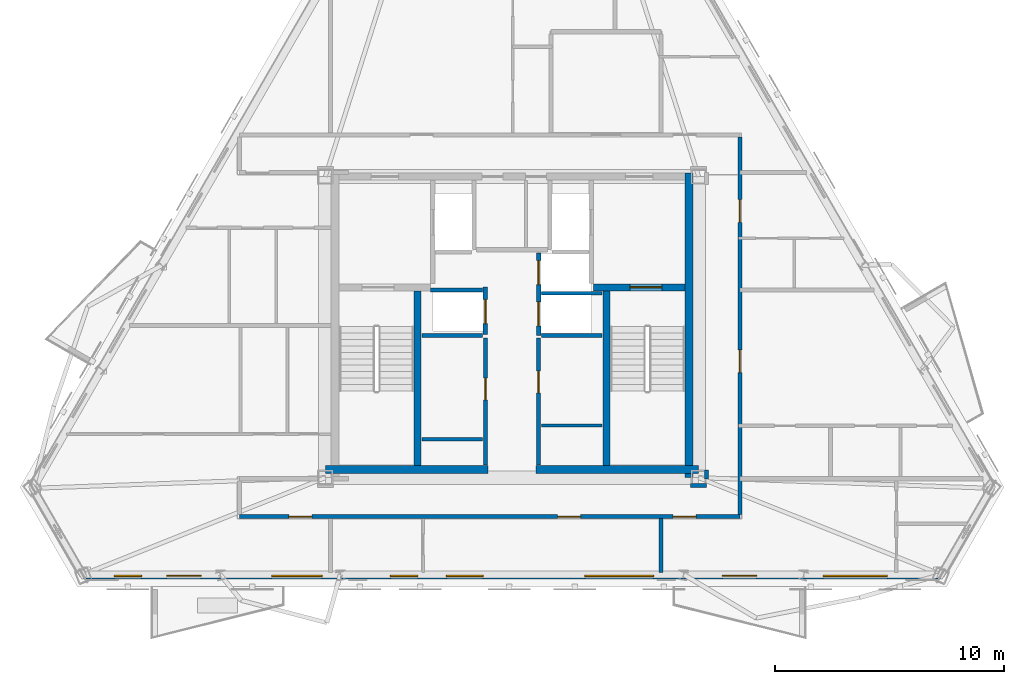
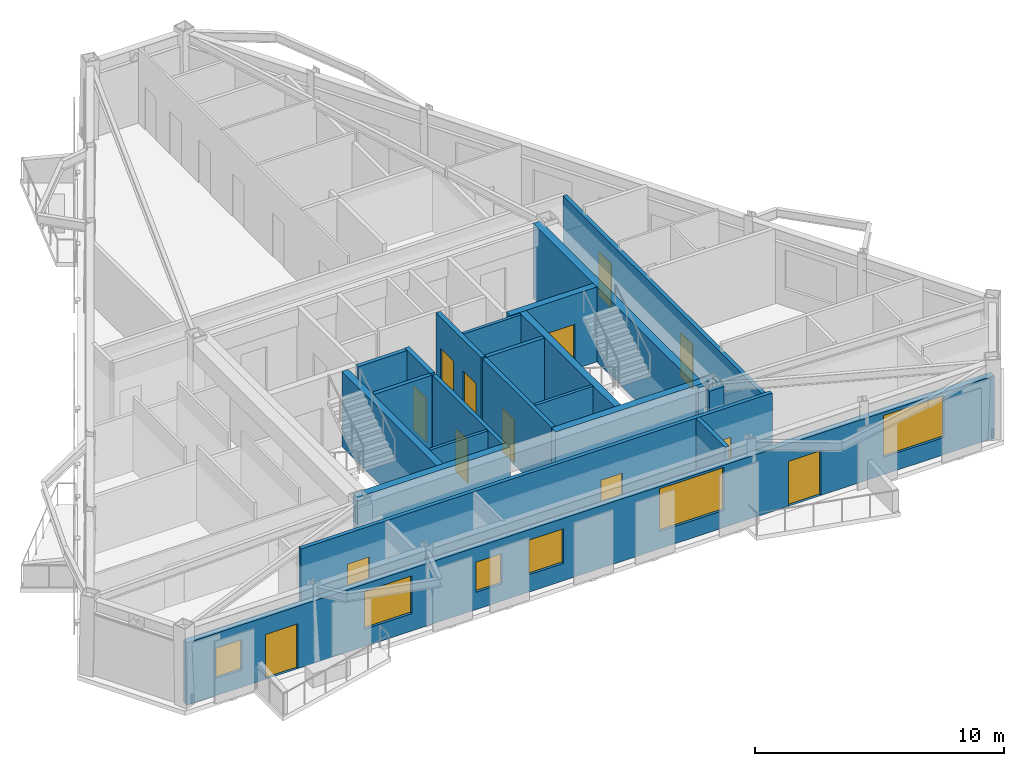
# One storey, part 3 of 9: 22 walls, 13 doors, 6 windows, 19 openings.
"""IFC4 building model written with IfcOpenShell, lengths in metres."""

from ifc_helpers import new_model, si_unit, direction, frame, frame_2d, origin, place, context, subcontext, project, spatial, rectangle, extrude, material, layer, layer_set, type_object, element, fill, save


model = new_model("IFC4")

# Units and contexts
model_context = context("Model", 3, precision=1e-05, world=origin(), true_north=direction((0.0, 1.0)))
body_context = subcontext(model_context, "Body", "Model", "MODEL_VIEW")
ifc_project = project(units=[si_unit("LENGTHUNIT", "METRE"), si_unit("AREAUNIT", "SQUARE_METRE"), si_unit("VOLUMEUNIT", "CUBIC_METRE"), si_unit("PLANEANGLEUNIT", "RADIAN"), si_unit("MASSUNIT", "GRAM", prefix="KILO")], contexts=[model_context])

# Site, building, storey
site_placement = place(None, origin())
site = spatial("IfcSite", under=ifc_project, at=site_placement, CompositionType="ELEMENT")
building_placement = place(site_placement, origin())
building = spatial("IfcBuilding", under=site, at=building_placement, Name="Oramaril Tower", CompositionType="ELEMENT")
storey_placement = place(building_placement, frame((0.0, 0.0, 281.10009765625)))
storey = spatial("IfcBuildingStorey", under=building, at=storey_placement, Name="L74", CompositionType="ELEMENT", Elevation=281.10009765625)

# Wall, openings, doors, windows
ifc_material_1 = material(Name="Warm Cream Limestone", Category="masonry")
ifc_layer_1 = layer(ifc_material_1, 0.2900390625)
ifc_layer_set_1 = layer_set([ifc_layer_1], Name="WT-EXT29")
wall_type_1 = type_object("IfcWallType", Name="WT-EXT29", PredefinedType="SOLIDWALL", material=ifc_layer_set_1)
wall_1_placement = place(storey_placement, frame((18.7822265625, 6.711669921875, 0.0), z_axis=(0.0, 0.0, 1.0), x_axis=(1.0, 0.0, 0.0)))
wall_1 = element("IfcWall", 1, at=wall_1_placement, inside=storey, type_object=wall_type_1, Name="L74 Tower Limestone Facade Wall 2M", PredefinedType="SOLIDWALL", context=body_context, shape_type="SweptSolid", body=[
    extrude(rectangle(XDim=37.435546875, YDim=0.2900390625, at=frame_2d((18.7177734375, 0.0))), origin(), (0.0, 0.0, 1.0), 3.057861328125),
])
opening_1_placement = place(wall_1_placement, frame((3.639404296875, 0.0, 0.0)))
opening_1 = element("IfcOpeningElement", 2, at=opening_1_placement, cuts=wall_1, Name="Opening D-L74-BAL-S1", PredefinedType="OPENING", context=body_context, shape_type="SweptSolid", body=[
    extrude(rectangle(XDim=1.5, YDim=2.199951171875, at=frame_2d((0.75, 1.10009765625))), frame((0.0, 0.14501953125, 0.0), z_axis=(0.0, -1.0, 0.0), x_axis=(1.0, 0.0, 0.0)), (0.0, 0.0, 1.0), 0.2900390625),
])
opening_2_placement = place(wall_1_placement, frame((27.90087890625, 0.0, 0.0)))
opening_2 = element("IfcOpeningElement", 3, at=opening_2_placement, cuts=wall_1, Name="Opening D-L74-BAL-S2", PredefinedType="OPENING", context=body_context, shape_type="SweptSolid", body=[
    extrude(rectangle(XDim=1.5, YDim=2.199951171875, at=frame_2d((0.75, 1.10009765625))), frame((0.0, 0.14501953125, 0.0), z_axis=(0.0, -1.0, 0.0), x_axis=(1.0, 0.0, 0.0)), (0.0, 0.0, 1.0), 0.2900390625),
])
opening_3_placement = place(wall_1_placement, frame((15.854736328125, 0.0, 0.85009765625)))
opening_3 = element("IfcOpeningElement", 4, at=opening_3_placement, cuts=wall_1, Name="Opening WN-07", PredefinedType="OPENING", context=body_context, shape_type="SweptSolid", body=[
    extrude(rectangle(XDim=1.60009765625, YDim=1.699951171875, at=frame_2d((0.800048828125, 0.85009765625))), frame((0.0, 0.14501953125, 0.0), z_axis=(0.0, -1.0, 0.0), x_axis=(1.0, 0.0, 0.0)), (0.0, 0.0, 1.0), 0.2900390625),
])
opening_4_placement = place(wall_1_placement, frame((21.898193359375, 0.0, 0.85009765625)))
opening_4 = element("IfcOpeningElement", 5, at=opening_4_placement, cuts=wall_1, Name="Opening WN-10", PredefinedType="OPENING", context=body_context, shape_type="SweptSolid", body=[
    extrude(rectangle(XDim=3.0, YDim=2.097900390625, at=frame_2d((1.5, 1.048828125))), frame((0.0, 0.14501953125, 0.0), z_axis=(0.0, -1.0, 0.0), x_axis=(1.0, 0.0, 0.0)), (0.0, 0.0, 1.0), 0.2900390625),
])
opening_5_placement = place(wall_1_placement, frame((13.41064453125, 0.0, 0.85009765625)))
opening_5 = element("IfcOpeningElement", 6, at=opening_5_placement, cuts=wall_1, Name="Opening WN-09", PredefinedType="OPENING", context=body_context, shape_type="SweptSolid", body=[
    extrude(rectangle(XDim=1.199951171875, YDim=1.47998046875, at=frame_2d((0.60009765625, 0.739990234375))), frame((0.0, 0.14501953125, 0.0), z_axis=(0.0, -1.0, 0.0), x_axis=(1.0, 0.0, 0.0)), (0.0, 0.0, 1.0), 0.2900390625),
])
opening_6_placement = place(wall_1_placement, frame((32.30517578125, 0.0, 0.85009765625)))
opening_6 = element("IfcOpeningElement", 7, at=opening_6_placement, cuts=wall_1, Name="Opening WN-01", PredefinedType="OPENING", context=body_context, shape_type="SweptSolid", body=[
    extrude(rectangle(XDim=2.800048828125, YDim=2.050048828125, at=frame_2d((1.39990234375, 1.02490234375))), frame((0.0, 0.14501953125, 0.0), z_axis=(0.0, -1.0, 0.0), x_axis=(1.0, 0.0, 0.0)), (0.0, 0.0, 1.0), 0.2900390625),
])
opening_7_placement = place(wall_1_placement, frame((1.340087890625, 0.0, 0.85009765625)))
opening_7 = element("IfcOpeningElement", 8, at=opening_7_placement, cuts=wall_1, Name="Opening WN-09", PredefinedType="OPENING", context=body_context, shape_type="SweptSolid", body=[
    extrude(rectangle(XDim=1.199951171875, YDim=1.47998046875, at=frame_2d((0.60009765625, 0.739990234375))), frame((0.0, 0.14501953125, 0.0), z_axis=(0.0, -1.0, 0.0), x_axis=(1.0, 0.0, 0.0)), (0.0, 0.0, 1.0), 0.2900390625),
])
opening_8_placement = place(wall_1_placement, frame((8.224853515625, 0.0, 0.85009765625)))
opening_8 = element("IfcOpeningElement", 9, at=opening_8_placement, cuts=wall_1, Name="Opening WN-04", PredefinedType="OPENING", context=body_context, shape_type="SweptSolid", body=[
    extrude(rectangle(XDim=2.199951171875, YDim=1.85009765625, at=frame_2d((1.10009765625, 0.925048828125))), frame((0.0, 0.14501953125, 0.0), z_axis=(0.0, -1.0, 0.0), x_axis=(1.0, 0.0, 0.0)), (0.0, 0.0, 1.0), 0.2900390625),
])
ifc_material_2 = material(Name="Anodised Aluminium 6063-T6", Category="aluminium")
door_type_1 = type_object("IfcDoorType", Name="DT-BAL", OperationType="NOTDEFINED", PredefinedType="DOOR", material=ifc_material_2)
door_1_placement = place(opening_1_placement, origin())
door_1 = element("IfcDoor", 10, at=door_1_placement, inside=storey, type_object=door_type_1, Name="L74 Balcony Glazed Door L74-BAL-S1", OperationType="SINGLE_SWING_LEFT", OverallHeight=2.199951171875, OverallWidth=1.5, PredefinedType="DOOR", context=body_context, shape_type="SweptSolid", body=[
    extrude(rectangle(XDim=1.5, YDim=2.199951171875, at=frame_2d((0.75, 1.10009765625))), frame((0.0, 0.02490234375, 0.0), z_axis=(0.0, -1.0, 0.0), x_axis=(1.0, 0.0, 0.0)), (0.0, 0.0, 1.0), 0.050048828125),
])
fill(opening_1, door_1)
door_2_placement = place(opening_2_placement, origin())
door_2 = element("IfcDoor", 11, at=door_2_placement, inside=storey, type_object=door_type_1, Name="L74 Balcony Glazed Door L74-BAL-S2", OperationType="SINGLE_SWING_RIGHT", OverallHeight=2.199951171875, OverallWidth=1.5, PredefinedType="DOOR", context=body_context, shape_type="SweptSolid", body=[
    extrude(rectangle(XDim=1.5, YDim=2.199951171875, at=frame_2d((0.75, 1.10009765625))), frame((0.0, 0.02490234375, 0.0), z_axis=(0.0, -1.0, 0.0), x_axis=(1.0, 0.0, 0.0)), (0.0, 0.0, 1.0), 0.050048828125),
])
fill(opening_2, door_2)
ifc_material_3 = material(Name="Coastal Low-E Insulated Glass", Category="glass")
window_type_1 = type_object("IfcWindowType", Name="WNT-01", PartitioningType="SINGLE_PANEL", PredefinedType="WINDOW", material=ifc_material_3)
window_1_placement = place(opening_6_placement, origin())
window_1 = element("IfcWindow", 12, at=window_1_placement, inside=storey, type_object=window_type_1, Name="L74 Chicago Bay Window WN-01", OverallHeight=2.050048828125, OverallWidth=2.800048828125, PartitioningType="SINGLE_PANEL", PredefinedType="WINDOW", context=body_context, shape_type="SweptSolid", body=[
    extrude(rectangle(XDim=2.800048828125, YDim=2.050048828125, at=frame_2d((1.39990234375, 1.02490234375))), frame((0.0, 0.030029296875, 0.0), z_axis=(0.0, -1.0, 0.0), x_axis=(1.0, 0.0, 0.0)), (0.0, 0.0, 1.0), 0.06005859375),
])
fill(opening_6, window_1)
ifc_material_4 = material(Name="Coastal Low-E Insulated Glass", Category="glass")
window_type_2 = type_object("IfcWindowType", Name="WNT-04", PartitioningType="SINGLE_PANEL", PredefinedType="WINDOW", material=ifc_material_4)
window_2_placement = place(opening_8_placement, origin())
window_2 = element("IfcWindow", 13, at=window_2_placement, inside=storey, type_object=window_type_2, Name="L74 Chicago Bay Window WN-04", OverallHeight=1.85009765625, OverallWidth=2.199951171875, PartitioningType="SINGLE_PANEL", PredefinedType="WINDOW", context=body_context, shape_type="SweptSolid", body=[
    extrude(rectangle(XDim=2.199951171875, YDim=1.85009765625, at=frame_2d((1.10009765625, 0.925048828125))), frame((0.0, 0.030029296875, 0.0), z_axis=(0.0, -1.0, 0.0), x_axis=(1.0, 0.0, 0.0)), (0.0, 0.0, 1.0), 0.06005859375),
])
fill(opening_8, window_2)
ifc_material_5 = material(Name="Coastal Low-E Insulated Glass", Category="glass")
window_type_3 = type_object("IfcWindowType", Name="WNT-07", PartitioningType="SINGLE_PANEL", PredefinedType="WINDOW", material=ifc_material_5)
window_3_placement = place(opening_3_placement, origin())
window_3 = element("IfcWindow", 14, at=window_3_placement, inside=storey, type_object=window_type_3, Name="L74 Chicago Bay Window WN-07", OverallHeight=1.699951171875, OverallWidth=1.60009765625, PartitioningType="SINGLE_PANEL", PredefinedType="WINDOW", context=body_context, shape_type="SweptSolid", body=[
    extrude(rectangle(XDim=1.60009765625, YDim=1.699951171875, at=frame_2d((0.800048828125, 0.85009765625))), frame((0.0, 0.030029296875, 0.0), z_axis=(0.0, -1.0, 0.0), x_axis=(1.0, 0.0, 0.0)), (0.0, 0.0, 1.0), 0.06005859375),
])
fill(opening_3, window_3)
ifc_material_6 = material(Name="Coastal Low-E Insulated Glass", Category="glass")
window_type_4 = type_object("IfcWindowType", Name="WNT-09", PartitioningType="SINGLE_PANEL", PredefinedType="WINDOW", material=ifc_material_6)
window_4_placement = place(opening_5_placement, origin())
window_4 = element("IfcWindow", 15, at=window_4_placement, inside=storey, type_object=window_type_4, Name="L74 Chicago Bay Window WN-09", OverallHeight=1.47998046875, OverallWidth=1.199951171875, PartitioningType="SINGLE_PANEL", PredefinedType="WINDOW", context=body_context, shape_type="SweptSolid", body=[
    extrude(rectangle(XDim=1.199951171875, YDim=1.47998046875, at=frame_2d((0.60009765625, 0.739990234375))), frame((0.0, 0.030029296875, 0.0), z_axis=(0.0, -1.0, 0.0), x_axis=(1.0, 0.0, 0.0)), (0.0, 0.0, 1.0), 0.06005859375),
])
fill(opening_5, window_4)
window_5_placement = place(opening_7_placement, origin())
window_5 = element("IfcWindow", 16, at=window_5_placement, inside=storey, type_object=window_type_4, Name="L74 Chicago Bay Window WN-09", OverallHeight=1.47998046875, OverallWidth=1.199951171875, PartitioningType="SINGLE_PANEL", PredefinedType="WINDOW", context=body_context, shape_type="SweptSolid", body=[
    extrude(rectangle(XDim=1.199951171875, YDim=1.47998046875, at=frame_2d((0.60009765625, 0.739990234375))), frame((0.0, 0.030029296875, 0.0), z_axis=(0.0, -1.0, 0.0), x_axis=(1.0, 0.0, 0.0)), (0.0, 0.0, 1.0), 0.06005859375),
])
fill(opening_7, window_5)
ifc_material_7 = material(Name="Coastal Low-E Insulated Glass", Category="glass")
window_type_5 = type_object("IfcWindowType", Name="WNT-10", PartitioningType="SINGLE_PANEL", PredefinedType="WINDOW", material=ifc_material_7)
window_6_placement = place(opening_4_placement, origin())
window_6 = element("IfcWindow", 17, at=window_6_placement, inside=storey, type_object=window_type_5, Name="L74 Chicago Bay Window WN-10", OverallHeight=2.097900390625, OverallWidth=3.0, PartitioningType="SINGLE_PANEL", PredefinedType="WINDOW", context=body_context, shape_type="SweptSolid", body=[
    extrude(rectangle(XDim=3.0, YDim=2.097900390625, at=frame_2d((1.5, 1.048828125))), frame((0.0, 0.030029296875, 0.0), z_axis=(0.0, -1.0, 0.0), x_axis=(1.0, 0.0, 0.0)), (0.0, 0.0, 1.0), 0.06005859375),
])
fill(opening_4, window_6)

# Walls
ifc_material_8 = material(Name="Acoustic Gypsum Board Partition")
ifc_layer_2 = layer(ifc_material_8, 0.139892578125)
ifc_layer_set_2 = layer_set([ifc_layer_2], Name="WT-PT14")
wall_type_2 = type_object("IfcWallType", Name="WT-PT14", PredefinedType="PARTITIONING", material=ifc_layer_set_2)
for number, where, z_axis, x_axis, name in (
    (18, (33.56005859375, 12.679931640625, 0.0), (0.0, 0.0, 1.0), (1.0, 0.0, 0.0), "L74 Freed Shaft South Closure"),
    (19, (38.780029296875, 19.050048828125, 0.0), (0.0, 0.0, 1.0), (1.0, 0.0, 0.0), "L74 High-Rise Lift H2-H3 Divider"),
    (20, (38.780029296875, 13.280029296875, 0.0), (0.0, 0.0, 1.0), (1.0, 0.0, 0.0), "L74 Freed Shaft South Closure"),
):
    element("IfcWall", number, at=place(storey_placement, frame(where, z_axis=z_axis, x_axis=x_axis)), inside=storey, type_object=wall_type_2, Name=name, PredefinedType="PARTITIONING", context=body_context, shape_type="SweptSolid", body=[
        extrude(rectangle(XDim=2.659912109375, YDim=0.139892578125, at=frame_2d((1.330078125, 0.0))), origin(), (0.0, 0.0, 1.0), 3.679931640625),
    ])
ifc_material_9 = material(Name="Autoclaved Cellular Concrete Block", Category="concrete")
ifc_layer_3 = layer(ifc_material_9, 0.179931640625)
ifc_layer_set_3 = layer_set([ifc_layer_3], Name="WT-PT18")
wall_type_3 = type_object("IfcWallType", Name="WT-PT18", PredefinedType="PARTITIONING", material=ifc_layer_set_3)
wall_2_placement = place(storey_placement, frame((33.949951171875, 19.199951171875, 0.0), z_axis=(0.0, 0.0, 1.0), x_axis=(1.0, 0.0, 0.0)))
element("IfcWall", 21, at=wall_2_placement, inside=storey, type_object=wall_type_3, Name="L74 High-Rise Lift H1 North Shaft Wall", PredefinedType="PARTITIONING", context=body_context, shape_type="SweptSolid", body=[
    extrude(rectangle(XDim=2.27001953125, YDim=0.179931640625, at=frame_2d((1.135009765625, 0.0))), origin(), (0.0, 0.0, 1.0), 3.679931640625),
])
wall_3_placement = place(storey_placement, frame((33.56005859375, 17.199951171875, 0.0), z_axis=(0.0, 0.0, 1.0), x_axis=(1.0, 0.0, 0.0)))
element("IfcWall", 22, at=wall_3_placement, inside=storey, type_object=wall_type_3, Name="L74 High-Rise Lift H1 South Wall", PredefinedType="PARTITIONING", context=body_context, shape_type="SweptSolid", body=[
    extrude(rectangle(XDim=2.659912109375, YDim=0.179931640625, at=frame_2d((1.330078125, 0.0))), origin(), (0.0, 0.0, 1.0), 3.679931640625),
])

# Wall, opening, door
wall_4_placement = place(storey_placement, frame((36.340087890625, 11.550048828125, 0.0), z_axis=(0.0, 0.0, 1.0), x_axis=(0.0, 1.0, 0.0)))
wall_4 = element("IfcWall", 23, at=wall_4_placement, inside=storey, type_object=wall_type_3, Name="L74 Freed Shaft Study East Wall", PredefinedType="PARTITIONING", context=body_context, shape_type="SweptSolid", body=[
    extrude(rectangle(XDim=5.550048828125, YDim=0.179931640625, at=frame_2d((2.77490234375, 0.0))), origin(), (0.0, 0.0, 1.0), 3.679931640625),
])
opening_9_placement = place(wall_4_placement, frame((2.85009765625, 0.0, 0.0)))
opening_9 = element("IfcOpeningElement", 24, at=opening_9_placement, cuts=wall_4, Name="Opening D-L74-FL1", PredefinedType="OPENING", context=body_context, shape_type="SweptSolid", body=[
    extrude(rectangle(XDim=0.949951171875, YDim=2.10009765625, at=frame_2d((0.47509765625, 1.050048828125))), frame((0.0, 0.08984375, 0.0), z_axis=(0.0, -1.0, 0.0), x_axis=(1.0, 0.0, 0.0)), (0.0, 0.0, 1.0), 0.179931640625),
])
ifc_material_10 = material(Name="FSC Brazilian Freijo Hardwood", Category="wood")
door_type_2 = type_object("IfcDoorType", Name="DT-STDY", OperationType="NOTDEFINED", PredefinedType="DOOR", material=ifc_material_10)
door_3_placement = place(opening_9_placement, origin())
door_3 = element("IfcDoor", 25, at=door_3_placement, inside=storey, type_object=door_type_2, Name="L74 L74 Residents Library Study Door", OperationType="SINGLE_SWING_LEFT", OverallHeight=2.10009765625, OverallWidth=0.949951171875, PredefinedType="DOOR", context=body_context, shape_type="SweptSolid", body=[
    extrude(rectangle(XDim=0.949951171875, YDim=2.10009765625, at=frame_2d((0.47509765625, 1.050048828125))), frame((0.0, 0.02490234375, 0.0), z_axis=(0.0, -1.0, 0.0), x_axis=(1.0, 0.0, 0.0)), (0.0, 0.0, 1.0), 0.050048828125),
])
fill(opening_9, door_3)

# Wall
wall_5_placement = place(storey_placement, frame((38.780029296875, 17.199951171875, 0.0), z_axis=(0.0, 0.0, 1.0), x_axis=(1.0, 0.0, 0.0)))
element("IfcWall", 26, at=wall_5_placement, inside=storey, type_object=wall_type_3, Name="L74 High-Rise Lift H2 South Wall", PredefinedType="PARTITIONING", context=body_context, shape_type="SweptSolid", body=[
    extrude(rectangle(XDim=2.659912109375, YDim=0.179931640625, at=frame_2d((1.330078125, 0.0))), origin(), (0.0, 0.0, 1.0), 3.679931640625),
])

# Wall, opening, door
wall_6_placement = place(storey_placement, frame((38.659912109375, 11.550048828125, 0.0), z_axis=(0.0, 0.0, 1.0), x_axis=(0.0, 1.0, 0.0)))
wall_6 = element("IfcWall", 27, at=wall_6_placement, inside=storey, type_object=wall_type_3, Name="L74 Freed Shaft Alcove West Wall", PredefinedType="PARTITIONING", context=body_context, shape_type="SweptSolid", body=[
    extrude(rectangle(XDim=5.550048828125, YDim=0.179931640625, at=frame_2d((2.77490234375, 0.0))), origin(), (0.0, 0.0, 1.0), 3.679931640625),
])
opening_10_placement = place(wall_6_placement, frame((3.14990234375, 0.0, 0.0)))
opening_10 = element("IfcOpeningElement", 28, at=opening_10_placement, cuts=wall_6, Name="Opening D-L74-FM1", PredefinedType="OPENING", context=body_context, shape_type="SweptSolid", body=[
    extrude(rectangle(XDim=0.949951171875, YDim=2.10009765625, at=frame_2d((0.47509765625, 1.050048828125))), frame((0.0, 0.08984375, 0.0), z_axis=(0.0, -1.0, 0.0), x_axis=(1.0, 0.0, 0.0)), (0.0, 0.0, 1.0), 0.179931640625),
])
door_4_placement = place(opening_10_placement, origin())
door_4 = element("IfcDoor", 29, at=door_4_placement, inside=storey, type_object=door_type_2, Name="L74 L74 Sky Consulting Office Door", OperationType="SINGLE_SWING_RIGHT", OverallHeight=2.10009765625, OverallWidth=0.949951171875, PredefinedType="DOOR", context=body_context, shape_type="SweptSolid", body=[
    extrude(rectangle(XDim=0.949951171875, YDim=2.10009765625, at=frame_2d((0.47509765625, 1.050048828125))), frame((0.0, 0.02490234375, 0.0), z_axis=(0.0, -1.0, 0.0), x_axis=(1.0, 0.0, 0.0)), (0.0, 0.0, 1.0), 0.050048828125),
])
fill(opening_10, door_4)

# Wall, openings, doors
wall_7_placement = place(storey_placement, frame((25.60009765625, 9.300048828125, 0.0), z_axis=(0.0, 0.0, 1.0), x_axis=(1.0, 0.0, 0.0)))
wall_7 = element("IfcWall", 30, at=wall_7_placement, inside=storey, type_object=wall_type_3, Name="L74 Interior Partition PT-18", PredefinedType="PARTITIONING", context=body_context, shape_type="SweptSolid", body=[
    extrude(rectangle(XDim=21.849853515625, YDim=0.179931640625, at=frame_2d((10.9248046875, 0.0))), origin(), (0.0, 0.0, 1.0), 3.679931640625),
])
opening_11_placement = place(wall_7_placement, frame((2.160400390625, 0.0, 0.0)))
opening_11 = element("IfcOpeningElement", 31, at=opening_11_placement, cuts=wall_7, Name="Opening D-L74-01", PredefinedType="OPENING", context=body_context, shape_type="SweptSolid", body=[
    extrude(rectangle(XDim=1.0, YDim=2.179931640625, at=frame_2d((0.5, 1.08984375))), frame((0.0, 0.08984375, 0.0), z_axis=(0.0, -1.0, 0.0), x_axis=(1.0, 0.0, 0.0)), (0.0, 0.0, 1.0), 0.179931640625),
])
opening_12_placement = place(wall_7_placement, frame((13.89404296875, 0.0, 0.0)))
opening_12 = element("IfcOpeningElement", 32, at=opening_12_placement, cuts=wall_7, Name="Opening D-L74-02", PredefinedType="OPENING", context=body_context, shape_type="SweptSolid", body=[
    extrude(rectangle(XDim=1.0, YDim=2.179931640625, at=frame_2d((0.5, 1.08984375))), frame((0.0, 0.08984375, 0.0), z_axis=(0.0, -1.0, 0.0), x_axis=(1.0, 0.0, 0.0)), (0.0, 0.0, 1.0), 0.179931640625),
])
opening_13_placement = place(wall_7_placement, frame((18.9404296875, 0.0, 0.0)))
opening_13 = element("IfcOpeningElement", 33, at=opening_13_placement, cuts=wall_7, Name="Opening D-L74-03", PredefinedType="OPENING", context=body_context, shape_type="SweptSolid", body=[
    extrude(rectangle(XDim=1.0, YDim=2.179931640625, at=frame_2d((0.5, 1.08984375))), frame((0.0, 0.08984375, 0.0), z_axis=(0.0, -1.0, 0.0), x_axis=(1.0, 0.0, 0.0)), (0.0, 0.0, 1.0), 0.179931640625),
])
ifc_material_11 = material(Name="FSC Brazilian Freijo Hardwood", Category="wood")
door_type_3 = type_object("IfcDoorType", Name="DT-APT", OperationType="NOTDEFINED", PredefinedType="DOOR", material=ifc_material_11)
door_5_placement = place(opening_11_placement, origin())
door_5 = element("IfcDoor", 34, at=door_5_placement, inside=storey, type_object=door_type_3, Name="L74 Flat L74-U3 Penthouse Living and Dining Room Door D-L74-01", OperationType="SINGLE_SWING_RIGHT", OverallHeight=2.179931640625, OverallWidth=1.0, PredefinedType="DOOR", context=body_context, shape_type="SweptSolid", body=[
    extrude(rectangle(XDim=1.0, YDim=2.179931640625, at=frame_2d((0.5, 1.08984375))), frame((0.0, 0.02490234375, 0.0), z_axis=(0.0, -1.0, 0.0), x_axis=(1.0, 0.0, 0.0)), (0.0, 0.0, 1.0), 0.050048828125),
])
fill(opening_11, door_5)
door_6_placement = place(opening_12_placement, origin())
door_6 = element("IfcDoor", 35, at=door_6_placement, inside=storey, type_object=door_type_3, Name="L74 Flat L74-U1 Kitchen and Studio Apartment Door D-L74-02", OperationType="SINGLE_SWING_LEFT", OverallHeight=2.179931640625, OverallWidth=1.0, PredefinedType="DOOR", context=body_context, shape_type="SweptSolid", body=[
    extrude(rectangle(XDim=1.0, YDim=2.179931640625, at=frame_2d((0.5, 1.08984375))), frame((0.0, 0.02490234375, 0.0), z_axis=(0.0, -1.0, 0.0), x_axis=(1.0, 0.0, 0.0)), (0.0, 0.0, 1.0), 0.050048828125),
])
fill(opening_12, door_6)
door_7_placement = place(opening_13_placement, origin())
door_7 = element("IfcDoor", 36, at=door_7_placement, inside=storey, type_object=door_type_3, Name="L74 Flat L74-U2 Studio Apartment Door D-L74-03", OperationType="SINGLE_SWING_RIGHT", OverallHeight=2.179931640625, OverallWidth=1.0, PredefinedType="DOOR", context=body_context, shape_type="SweptSolid", body=[
    extrude(rectangle(XDim=1.0, YDim=2.179931640625, at=frame_2d((0.5, 1.08984375))), frame((0.0, 0.02490234375, 0.0), z_axis=(0.0, -1.0, 0.0), x_axis=(1.0, 0.0, 0.0)), (0.0, 0.0, 1.0), 0.050048828125),
])
fill(opening_13, door_7)

# Walls
wall_8_placement = place(storey_placement, frame((45.304931640625, 10.64990234375, 0.0), z_axis=(0.0, 0.0, 1.0), x_axis=(1.0, 0.0, 0.0)))
element("IfcWall", 37, at=wall_8_placement, inside=storey, type_object=wall_type_3, Name="L74 Interior Partition PT-18", PredefinedType="PARTITIONING", context=body_context, shape_type="SweptSolid", body=[
    extrude(rectangle(XDim=0.690185546875, YDim=0.179931640625, at=frame_2d((0.34521484375, 0.0))), origin(), (0.0, 0.0, 1.0), 3.679931640625),
])
wall_9_placement = place(storey_placement, frame((44.0, 6.860595703125, 0.0), z_axis=(0.0, 0.0, 1.0), x_axis=(0.0, 1.0, 0.0)))
element("IfcWall", 38, at=wall_9_placement, inside=storey, type_object=wall_type_3, Name="L74 Interior Partition PT-18", PredefinedType="PARTITIONING", context=body_context, shape_type="SweptSolid", body=[
    extrude(rectangle(XDim=2.345458984375, YDim=0.179931640625, at=frame_2d((1.1728515625, 0.0))), origin(), (0.0, 0.0, 1.0), 3.679931640625),
])
wall_10_placement = place(storey_placement, frame((45.989990234375, 10.949951171875, 0.0), z_axis=(0.0, 0.0, 1.0), x_axis=(0.0, 1.0, 0.0)))
element("IfcWall", 39, at=wall_10_placement, inside=storey, type_object=wall_type_3, Name="L74 Interior Partition PT-18", PredefinedType="PARTITIONING", context=body_context, shape_type="SweptSolid", body=[
    extrude(rectangle(XDim=0.39013671875, YDim=0.179931640625, at=frame_2d((0.195068359375, 0.0))), origin(), (0.0, 0.0, 1.0), 3.679931640625),
])

# Wall, openings, doors
wall_11_placement = place(storey_placement, frame((47.449951171875, 9.39404296875, 0.0), z_axis=(0.0, 0.0, 1.0), x_axis=(0.0, 1.0, 0.0)))
wall_11 = element("IfcWall", 40, at=wall_11_placement, inside=storey, type_object=wall_type_3, Name="L74 Interior Partition PT-18", PredefinedType="PARTITIONING", context=body_context, shape_type="SweptSolid", body=[
    extrude(rectangle(XDim=16.48193359375, YDim=0.179931640625, at=frame_2d((8.240966796875, 0.0))), origin(), (0.0, 0.0, 1.0), 3.265869140625),
])
opening_14_placement = place(wall_11_placement, frame((6.187744140625, 0.0, 0.0)))
opening_14 = element("IfcOpeningElement", 41, at=opening_14_placement, cuts=wall_11, Name="Opening D-L74-27", PredefinedType="OPENING", context=body_context, shape_type="SweptSolid", body=[
    extrude(rectangle(XDim=1.0, YDim=2.179931640625, at=frame_2d((0.5, 1.08984375))), frame((0.0, 0.08984375, 0.0), z_axis=(0.0, -1.0, 0.0), x_axis=(1.0, 0.0, 0.0)), (0.0, 0.0, 1.0), 0.179931640625),
])
opening_15_placement = place(wall_11_placement, frame((12.749267578125, 0.0, 0.0)))
opening_15 = element("IfcOpeningElement", 42, at=opening_15_placement, cuts=wall_11, Name="Opening D-L74-28", PredefinedType="OPENING", context=body_context, shape_type="SweptSolid", body=[
    extrude(rectangle(XDim=1.0, YDim=2.179931640625, at=frame_2d((0.5, 1.08984375))), frame((0.0, 0.08984375, 0.0), z_axis=(0.0, -1.0, 0.0), x_axis=(1.0, 0.0, 0.0)), (0.0, 0.0, 1.0), 0.179931640625),
])
door_8_placement = place(opening_14_placement, origin())
door_8 = element("IfcDoor", 43, at=door_8_placement, inside=storey, type_object=door_type_3, Name="L74 Flat L74-U5 Living and Dining Room Door D-L74-27", OperationType="SINGLE_SWING_RIGHT", OverallHeight=2.179931640625, OverallWidth=1.0, PredefinedType="DOOR", context=body_context, shape_type="SweptSolid", body=[
    extrude(rectangle(XDim=1.0, YDim=2.179931640625, at=frame_2d((0.5, 1.08984375))), frame((0.0, 0.02490234375, 0.0), z_axis=(0.0, -1.0, 0.0), x_axis=(1.0, 0.0, 0.0)), (0.0, 0.0, 1.0), 0.050048828125),
])
fill(opening_14, door_8)
door_9_placement = place(opening_15_placement, origin())
door_9 = element("IfcDoor", 44, at=door_9_placement, inside=storey, type_object=door_type_3, Name="L74 Flat L74-U6 Studio Apartment Door D-L74-28", OperationType="SINGLE_SWING_LEFT", OverallHeight=2.179931640625, OverallWidth=1.0, PredefinedType="DOOR", context=body_context, shape_type="SweptSolid", body=[
    extrude(rectangle(XDim=1.0, YDim=2.179931640625, at=frame_2d((0.5, 1.08984375))), frame((0.0, 0.02490234375, 0.0), z_axis=(0.0, -1.0, 0.0), x_axis=(1.0, 0.0, 0.0)), (0.0, 0.0, 1.0), 0.050048828125),
])
fill(opening_15, door_9)

# Wall, opening, door
ifc_material_12 = material(Name="Concrete C50/60", Category="concrete")
ifc_layer_4 = layer(ifc_material_12, 0.300048828125)
ifc_layer_set_4 = layer_set([ifc_layer_4], Name="WT-SH30")
wall_type_4 = type_object("IfcWallType", Name="WT-SH30", PredefinedType="SHEAR", material=ifc_layer_set_4)
wall_12_placement = place(storey_placement, frame((41.050048828125, 19.31005859375, 0.0), z_axis=(0.0, 0.0, 1.0), x_axis=(1.0, 0.0, 0.0)))
wall_12 = element("IfcWall", 45, at=wall_12_placement, inside=storey, type_object=wall_type_4, Name="L74 Core Shear Wall CW-ST2N", PredefinedType="SHEAR", context=body_context, shape_type="SweptSolid", body=[
    extrude(rectangle(XDim=4.010009765625, YDim=0.300048828125, at=frame_2d((2.0048828125, 0.0))), origin(), (0.0, 0.0, 1.0), 3.679931640625),
])
opening_16_placement = place(wall_12_placement, frame((1.60009765625, 0.0, 0.0)))
opening_16 = element("IfcOpeningElement", 46, at=opening_16_placement, cuts=wall_12, Name="Opening D-L74-ST2", PredefinedType="OPENING", context=body_context, shape_type="SweptSolid", body=[
    extrude(rectangle(XDim=1.39990234375, YDim=2.199951171875, at=frame_2d((0.699951171875, 1.10009765625))), frame((0.0, 0.14990234375, 0.0), z_axis=(0.0, -1.0, 0.0), x_axis=(1.0, 0.0, 0.0)), (0.0, 0.0, 1.0), 0.300048828125),
])
ifc_material_13 = material(Name="Painted Galvanised Steel", Category="steel")
door_type_4 = type_object("IfcDoorType", Name="DT-ST", OperationType="NOTDEFINED", PredefinedType="DOOR", material=ifc_material_13)
door_10_placement = place(opening_16_placement, origin())
door_10 = element("IfcDoor", 47, at=door_10_placement, inside=storey, type_object=door_type_4, Name="L74 Protected Stair ST-2 Fire Door", OperationType="SINGLE_SWING_RIGHT", OverallHeight=2.199951171875, OverallWidth=1.39990234375, PredefinedType="DOOR", context=body_context, shape_type="SweptSolid", body=[
    extrude(rectangle(XDim=1.39990234375, YDim=2.199951171875, at=frame_2d((0.699951171875, 1.10009765625))), frame((0.0, 0.02490234375, 0.0), z_axis=(0.0, -1.0, 0.0), x_axis=(1.0, 0.0, 0.0)), (0.0, 0.0, 1.0), 0.050048828125),
])
fill(opening_16, door_10)

# Walls
for number, where, z_axis, x_axis, name in (
    (48, (33.3798828125, 11.5400390625, 0.0), (0.0, 0.0, 1.0), (0.0, 1.0, 0.0), "L74 Core Shear Wall CW-ST1E"),
    (49, (41.6201171875, 11.5400390625, 0.0), (0.0, 0.0, 1.0), (0.0, 1.0, 0.0), "L74 Core Shear Wall CW-ST2W"),
):
    element("IfcWall", number, at=place(storey_placement, frame(where, z_axis=z_axis, x_axis=x_axis)), inside=storey, type_object=wall_type_4, Name=name, PredefinedType="SHEAR", context=body_context, shape_type="SweptSolid", body=[
        extrude(rectangle(XDim=7.619873046875, YDim=0.300048828125, at=frame_2d((3.81005859375, 0.0))), origin(), (0.0, 0.0, 1.0), 3.679931640625),
    ])
ifc_material_14 = material(Name="Concrete C50/60", Category="concrete")
ifc_layer_5 = layer(ifc_material_14, 0.35009765625)
ifc_layer_set_5 = layer_set([ifc_layer_5], Name="WT-SH35")
wall_type_5 = type_object("IfcWallType", Name="WT-SH35", PredefinedType="SHEAR", material=ifc_layer_set_5)
wall_13_placement = place(storey_placement, frame((45.235107421875, 11.0, 0.0), z_axis=(0.0, 0.0, 1.0), x_axis=(0.0, 1.0, 0.0)))
element("IfcWall", 50, at=wall_13_placement, inside=storey, type_object=wall_type_5, Name="L74 Core Shear Wall CW-E", PredefinedType="SHEAR", context=body_context, shape_type="SweptSolid", body=[
    extrude(rectangle(XDim=13.300048828125, YDim=0.35009765625, at=frame_2d((6.64990234375, 0.0))), origin(), (0.0, 0.0, 1.0), 3.679931640625),
])
for number, where, z_axis, x_axis, name in (
    (51, (29.35009765625, 11.364990234375, 0.0), (0.0, 0.0, 1.0), (1.0, 0.0, 0.0), "L74 Core Shear Wall CW-SW"),
    (52, (38.550048828125, 11.364990234375, 0.0), (0.0, 0.0, 1.0), (1.0, 0.0, 0.0), "L74 Core Shear Wall CW-SE"),
):
    element("IfcWall", number, at=place(storey_placement, frame(where, z_axis=z_axis, x_axis=x_axis)), inside=storey, type_object=wall_type_5, Name=name, PredefinedType="SHEAR", context=body_context, shape_type="SweptSolid", body=[
        extrude(rectangle(XDim=7.099853515625, YDim=0.35009765625, at=frame_2d((3.5498046875, 0.0))), origin(), (0.0, 0.0, 1.0), 3.679931640625),
    ])

# Wall, opening, door
ifc_material_15 = material(Name="Autoclaved Cellular Concrete Block", Category="concrete")
ifc_layer_6 = layer(ifc_material_15, 0.199951171875)
ifc_layer_set_6 = layer_set([ifc_layer_6], Name="WT-SHF20")
wall_type_6 = type_object("IfcWallType", Name="WT-SHF20", PredefinedType="PARTITIONING", material=ifc_layer_set_6)
wall_14_placement = place(storey_placement, frame((36.340087890625, 17.25, 0.0), z_axis=(0.0, 0.0, 1.0), x_axis=(0.0, 1.0, 0.0)))
wall_14 = element("IfcWall", 53, at=wall_14_placement, inside=storey, type_object=wall_type_6, Name="L74 High-Rise Lift H1 Front Wall", PredefinedType="PARTITIONING", context=body_context, shape_type="SweptSolid", body=[
    extrude(rectangle(XDim=2.070068359375, YDim=0.199951171875, at=frame_2d((1.03515625, 0.0))), origin(), (0.0, 0.0, 1.0), 3.679931640625),
])
opening_17_placement = place(wall_14_placement, frame((0.47509765625, 0.0, 0.0)))
opening_17 = element("IfcOpeningElement", 54, at=opening_17_placement, cuts=wall_14, Name="Opening LD-L74-LP-H1", PredefinedType="OPENING", context=body_context, shape_type="SweptSolid", body=[
    extrude(rectangle(XDim=1.050048828125, YDim=2.14990234375, at=frame_2d((0.52490234375, 1.074951171875))), frame((0.0, 0.10009765625, 0.0), z_axis=(0.0, -1.0, 0.0), x_axis=(1.0, 0.0, 0.0)), (0.0, 0.0, 1.0), 0.199951171875),
])
ifc_material_16 = material(Name="Stainless Steel 316L", Category="steel")
door_type_5 = type_object("IfcDoorType", Name="DT-LD2", OperationType="NOTDEFINED", PredefinedType="DOOR", material=ifc_material_16)
door_11_placement = place(opening_17_placement, origin())
door_11 = element("IfcDoor", 55, at=door_11_placement, inside=storey, type_object=door_type_5, Name="L74 Lift LP-H1 Sliding Landing Door", OperationType="SLIDING_TO_LEFT", OverallHeight=2.14990234375, OverallWidth=1.050048828125, PredefinedType="DOOR", context=body_context, shape_type="SweptSolid", body=[
    extrude(rectangle(XDim=1.050048828125, YDim=2.14990234375, at=frame_2d((0.52490234375, 1.074951171875))), frame((0.0, 0.02490234375, 0.0), z_axis=(0.0, -1.0, 0.0), x_axis=(1.0, 0.0, 0.0)), (0.0, 0.0, 1.0), 0.050048828125),
])
fill(opening_17, door_11)

# Wall, openings, doors
wall_15_placement = place(storey_placement, frame((38.659912109375, 17.199951171875, 0.0), z_axis=(0.0, 0.0, 1.0), x_axis=(0.0, 1.0, 0.0)))
wall_15 = element("IfcWall", 56, at=wall_15_placement, inside=storey, type_object=wall_type_6, Name="L74 High-Rise Lift H2-H3 Front Wall", PredefinedType="PARTITIONING", context=body_context, shape_type="SweptSolid", body=[
    extrude(rectangle(XDim=3.6201171875, YDim=0.199951171875, at=frame_2d((1.81005859375, 0.0))), origin(), (0.0, 0.0, 1.0), 3.679931640625),
])
opening_18_placement = place(wall_15_placement, frame((0.425048828125, 0.0, 0.0)))
opening_18 = element("IfcOpeningElement", 57, at=opening_18_placement, cuts=wall_15, Name="Opening LD-L74-LP-H2", PredefinedType="OPENING", context=body_context, shape_type="SweptSolid", body=[
    extrude(rectangle(XDim=1.050048828125, YDim=2.14990234375, at=frame_2d((0.52490234375, 1.074951171875))), frame((0.0, 0.10009765625, 0.0), z_axis=(0.0, -1.0, 0.0), x_axis=(1.0, 0.0, 0.0)), (0.0, 0.0, 1.0), 0.199951171875),
])
opening_19_placement = place(wall_15_placement, frame((2.22509765625, 0.0, 0.0)))
opening_19 = element("IfcOpeningElement", 58, at=opening_19_placement, cuts=wall_15, Name="Opening LD-L74-LP-H3", PredefinedType="OPENING", context=body_context, shape_type="SweptSolid", body=[
    extrude(rectangle(XDim=1.050048828125, YDim=2.14990234375, at=frame_2d((0.52490234375, 1.074951171875))), frame((0.0, 0.10009765625, 0.0), z_axis=(0.0, -1.0, 0.0), x_axis=(1.0, 0.0, 0.0)), (0.0, 0.0, 1.0), 0.199951171875),
])
door_12_placement = place(opening_18_placement, origin())
door_12 = element("IfcDoor", 59, at=door_12_placement, inside=storey, type_object=door_type_5, Name="L74 Lift LP-H2 Sliding Landing Door", OperationType="SLIDING_TO_RIGHT", OverallHeight=2.14990234375, OverallWidth=1.050048828125, PredefinedType="DOOR", context=body_context, shape_type="SweptSolid", body=[
    extrude(rectangle(XDim=1.050048828125, YDim=2.14990234375, at=frame_2d((0.52490234375, 1.074951171875))), frame((0.0, 0.02490234375, 0.0), z_axis=(0.0, -1.0, 0.0), x_axis=(1.0, 0.0, 0.0)), (0.0, 0.0, 1.0), 0.050048828125),
])
fill(opening_18, door_12)
door_13_placement = place(opening_19_placement, origin())
door_13 = element("IfcDoor", 60, at=door_13_placement, inside=storey, type_object=door_type_5, Name="L74 Lift LP-H3 Sliding Landing Door", OperationType="SLIDING_TO_LEFT", OverallHeight=2.14990234375, OverallWidth=1.050048828125, PredefinedType="DOOR", context=body_context, shape_type="SweptSolid", body=[
    extrude(rectangle(XDim=1.050048828125, YDim=2.14990234375, at=frame_2d((0.52490234375, 1.074951171875))), frame((0.0, 0.02490234375, 0.0), z_axis=(0.0, -1.0, 0.0), x_axis=(1.0, 0.0, 0.0)), (0.0, 0.0, 1.0), 0.050048828125),
])
fill(opening_19, door_13)

save(model, "model.ifc")
